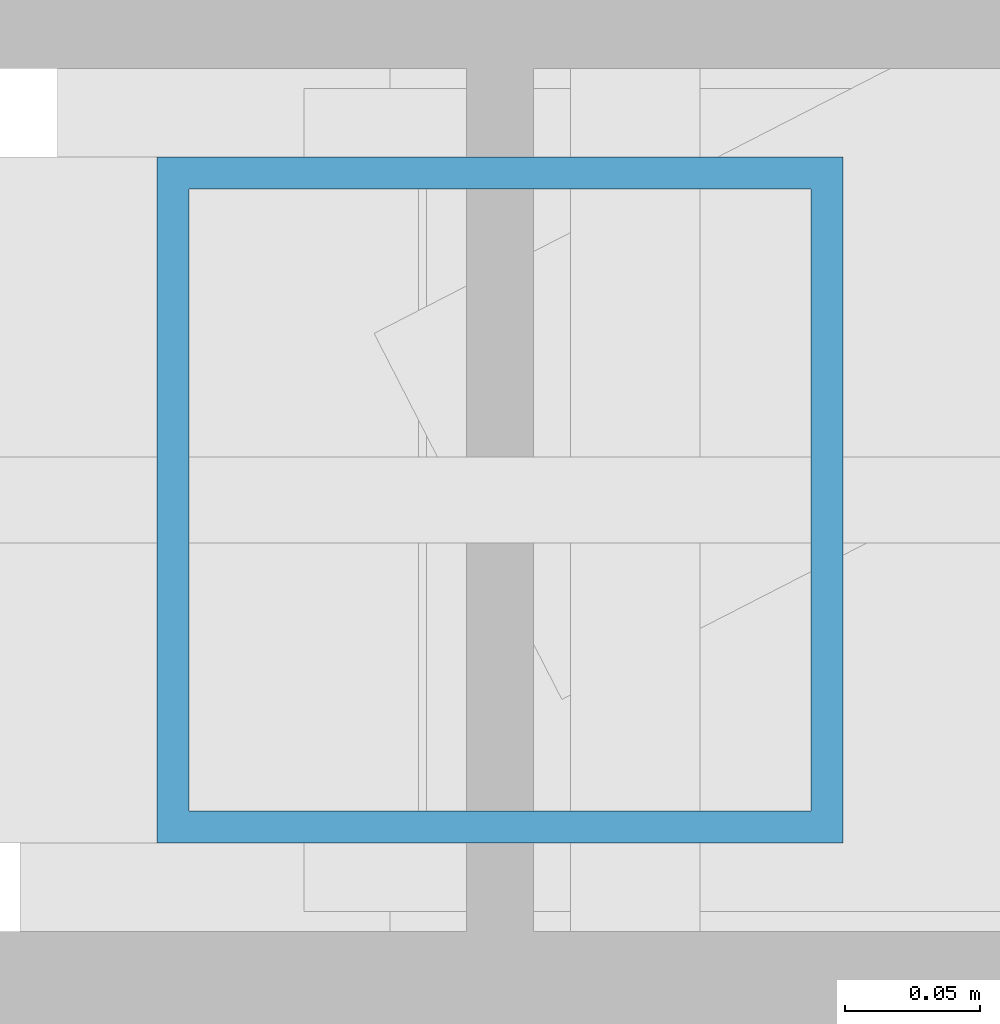
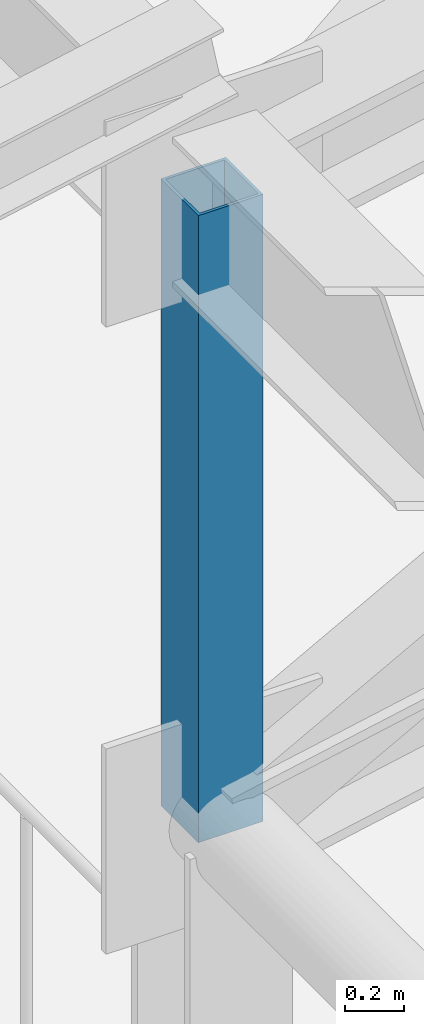
# One storey, part 17 of 73: 1 member.
"""IFC4 building model written with IfcOpenShell, lengths in metres."""

import ifcopenshell
import ifcopenshell.guid

model = None  # the IFC model being written
_history = None  # IfcOwnerHistory: only IFC2X3 demands one
_inside = {}  # id of a spatial element -> (the spatial element, [elements in it])
_under = {}  # id of a project, library or spatial element -> (it, [spatial elements below it])
_declared = {}  # id of a project -> (the project, [libraries it declares])
_typed = {}  # id of a type object -> (the type object, [elements of that type])
_made_of = {}  # id of a material, layer set ... -> (it, [elements and type objects made of it])


def new_model(schema):
    """Start an empty IFC model of exactly this schema.

    Asked for "IFC4X3", IfcOpenShell would pick the latest addendum, in which some entities
    have other attributes; the version numbers below select the first issue.
    IFC2X3 requires an IfcOwnerHistory on every rooted entity: one is made here for all.
    """
    global model, _history
    if schema == "IFC4X3":
        model = ifcopenshell.file(schema_version=(4, 3, 0, 0))
    else:
        model = ifcopenshell.file(schema=schema)
    _inside.clear()
    _under.clear()
    _declared.clear()
    _typed.clear()
    _made_of.clear()
    _history = None
    if model.schema == "IFC2X3":
        org = make("IfcOrganization", Name="unknown")
        user = make(
            "IfcPersonAndOrganization",
            ThePerson=make("IfcPerson", FamilyName="unknown"),
            TheOrganization=org,
        )
        app = make(
            "IfcApplication",
            ApplicationDeveloper=org,
            Version="unknown",
            ApplicationFullName="unknown",
            ApplicationIdentifier="unknown",
        )
        _history = make(
            "IfcOwnerHistory",
            OwningUser=user,
            OwningApplication=app,
            ChangeAction="ADDED",
            CreationDate=0,
        )
    return model


def make(cls, **values):
    """One entity of the class cls with the attributes given. An attribute that is None is left unset."""
    return model.create_entity(
        cls, **{name: value for name, value in values.items() if value is not None}
    )


def rooted(cls, **values):
    """An entity with a GlobalId (a new one), such as an element, a storey or a relation."""
    return make(cls, GlobalId=ifcopenshell.guid.new(), OwnerHistory=_history, **values)


def si_unit(unit_type, name, prefix=None):
    """IfcSIUnit, for example si_unit("LENGTHUNIT", "METRE", prefix="MILLI")."""
    return make("IfcSIUnit", UnitType=unit_type, Prefix=prefix, Name=name)


def assignment(units):
    """IfcUnitAssignment: the units of a project."""
    return None if units is None else make("IfcUnitAssignment", Units=units)


def point(xyz):
    """IfcCartesianPoint."""
    return None if xyz is None else make("IfcCartesianPoint", Coordinates=xyz)


def direction(xyz):
    """IfcDirection."""
    return None if xyz is None else make("IfcDirection", DirectionRatios=xyz)


def frame(location, z_axis=None, x_axis=None):
    """IfcAxis2Placement3D, a coordinate frame: its origin and axes. An axis left out is left unset."""
    return make(
        "IfcAxis2Placement3D",
        Location=point(location),
        Axis=direction(z_axis),
        RefDirection=direction(x_axis),
    )


def frame_2d(location, x_axis=None):
    """IfcAxis2Placement2D, a coordinate frame in the plane: its origin and x axis."""
    return make(
        "IfcAxis2Placement2D", Location=point(location), RefDirection=direction(x_axis)
    )


def origin():
    """The frame at (0, 0, 0) with its axes left unset."""
    return frame((0.0, 0.0, 0.0))


def origin_2d():
    """The frame at (0, 0) in the plane with its x axis left unset."""
    return frame_2d((0.0, 0.0))


def place(relative_to, where):
    """IfcLocalPlacement: puts the frame where relative to a parent placement (None: the world)."""
    return make(
        "IfcLocalPlacement", PlacementRelTo=relative_to, RelativePlacement=where
    )


def context(
    kind, dimensions, precision=None, world=None, true_north=None, identifier=None
):
    """IfcGeometricRepresentationContext, for example the 3D "Model" context."""
    return make(
        "IfcGeometricRepresentationContext",
        ContextIdentifier=identifier,
        ContextType=kind,
        CoordinateSpaceDimension=dimensions,
        Precision=precision,
        WorldCoordinateSystem=world,
        TrueNorth=true_north,
    )


def subcontext(parent, identifier, kind, view, scale=None):
    """IfcGeometricRepresentationSubContext, for example "Body" below "Model"."""
    return make(
        "IfcGeometricRepresentationSubContext",
        ContextIdentifier=identifier,
        ContextType=kind,
        ParentContext=parent,
        TargetScale=scale,
        TargetView=view,
    )


def project(units=None, contexts=None):
    """IfcProject with its units and contexts."""
    return rooted(
        "IfcProject",
        Name="project",
        RepresentationContexts=contexts,
        UnitsInContext=assignment(units),
    )


def spatial(cls, under=None, at=None, **own):
    """A site, building, storey or space (cls), placed at a placement, below another one or the project."""
    s = rooted(cls, ObjectPlacement=at, **own)
    if under is not None:
        _under.setdefault(under.id(), (under, []))[1].append(s)
    return s


def profile(cls, at=None, kind="AREA", **sizes):
    """A parametric profile (cls). Its sizes go by their IFC names, for example OverallWidth=200.0."""
    return make(cls, ProfileType=kind, Position=at, **sizes)


def hollow_rectangle(**sizes):
    """IfcRectangleHollowProfileDef."""
    return profile("IfcRectangleHollowProfileDef", **sizes)


def extrude(swept, where, along, depth):
    """IfcExtrudedAreaSolid: the profile swept, set in the frame where, extruded along a direction by depth."""
    return make(
        "IfcExtrudedAreaSolid",
        SweptArea=swept,
        Position=where,
        ExtrudedDirection=direction(along),
        Depth=depth,
    )


def shape(context_of_items, identifier, shape_type, items):
    """IfcShapeRepresentation: the items that make up one representation, for example the "Body"."""
    return make(
        "IfcShapeRepresentation",
        ContextOfItems=context_of_items,
        RepresentationIdentifier=identifier,
        RepresentationType=shape_type,
        Items=items,
    )


def material(Name=None, Category=None):
    """IfcMaterial."""
    return make("IfcMaterial", Name=Name, Category=Category)


def material_profile(
    of_material, cross_section, Name=None, Category=None, Priority=None
):
    """IfcMaterialProfile: a cross section and its material."""
    return make(
        "IfcMaterialProfile",
        Name=Name,
        Material=of_material,
        Profile=cross_section,
        Priority=Priority,
        Category=Category,
    )


def profile_set(profiles, Name=None, composite=None):
    """IfcMaterialProfileSet."""
    return make(
        "IfcMaterialProfileSet",
        Name=Name,
        MaterialProfiles=profiles,
        CompositeProfile=composite,
    )


def made_of(thing, what):
    """Note that an element or type object is made of a material, layer set ...; save() writes the relation."""
    if what is not None:
        _made_of.setdefault(what.id(), (what, []))[1].append(thing)
    return thing


def type_object(cls, material=None, **own):
    """A type object (cls), such as IfcWallType, which elements share."""
    return made_of(rooted(cls, **own), material)


def element(
    cls,
    number,
    at=None,
    inside=None,
    cuts=None,
    type_object=None,
    material=None,
    context=None,
    identifier="Body",
    shape_type=None,
    held_by="IfcProductDefinitionShape",
    body=None,
    shapes=None,
    **own,
):
    """One element of the class cls, such as IfcWall. Its Tag is "e" and its number.

    at: its placement. inside: the storey or other place that contains it. cuts: it is an
    opening in that element (IfcRelVoidsElement). A single representation is given by context,
    identifier, shape_type and body (its items); several are given by shapes. held_by: the class
    of the entity that holds the representations. save() writes the other relations.
    """
    e = rooted(cls, Tag="e%d" % number, ObjectPlacement=at, **own)
    if body is not None:
        shapes = [shape(context, identifier, shape_type, body)]
    if shapes is not None:
        e.Representation = make(held_by, Representations=shapes)
    if inside is not None:
        _inside.setdefault(inside.id(), (inside, []))[1].append(e)
    if cuts is not None:
        rooted(
            "IfcRelVoidsElement", RelatingBuildingElement=cuts, RelatedOpeningElement=e
        )
    if type_object is not None:
        _typed.setdefault(type_object.id(), (type_object, []))[1].append(e)
    return made_of(e, material)


def aggregate(whole, parts):
    """IfcRelAggregates: a whole, such as a stair, and the parts it consists of."""
    return rooted("IfcRelAggregates", RelatingObject=whole, RelatedObjects=parts)


def save(model, path):
    """Write the relations noted so far, then the file.

    IfcRelAggregates (storeys below a building ...), IfcRelContainedInSpatialStructure (elements
    in a storey), IfcRelDefinesByType, IfcRelAssociatesMaterial and IfcRelDeclares: one each for
    every whole, place, type object, material and project.
    """
    for whole, parts in _under.values():
        aggregate(whole, parts)
    for where, things in _inside.values():
        rooted(
            "IfcRelContainedInSpatialStructure",
            RelatedElements=things,
            RelatingStructure=where,
        )
    for kind, things in _typed.values():
        rooted("IfcRelDefinesByType", RelatedObjects=things, RelatingType=kind)
    for what, things in _made_of.values():
        rooted("IfcRelAssociatesMaterial", RelatedObjects=things, RelatingMaterial=what)
    for by, libraries in _declared.values():
        rooted("IfcRelDeclares", RelatingContext=by, RelatedDefinitions=libraries)
    model.write(path)


model = new_model("IFC4")

# Units and contexts
model_context = context("Model", 3, precision=1e-05, world=origin(), true_north=direction((0.0, 1.0)))
body_context = subcontext(model_context, "Body", "Model", "MODEL_VIEW")
ifc_project = project(units=[si_unit("LENGTHUNIT", "METRE"), si_unit("AREAUNIT", "SQUARE_METRE"), si_unit("VOLUMEUNIT", "CUBIC_METRE"), si_unit("PLANEANGLEUNIT", "RADIAN"), si_unit("MASSUNIT", "GRAM", prefix="KILO")], contexts=[model_context])

# Site, building, storey
site_placement = place(None, origin())
site = spatial("IfcSite", under=ifc_project, at=site_placement, CompositionType="ELEMENT")
building_placement = place(site_placement, origin())
building = spatial("IfcBuilding", under=site, at=building_placement, Name="Vervanel Yard Central Library", CompositionType="ELEMENT")
storey_placement = place(building_placement, frame((0.0, 0.0, 12.780029296875)))
storey = spatial("IfcBuildingStorey", under=building, at=storey_placement, Name="L03", CompositionType="ELEMENT", Elevation=12.780029296875)

# Member
ifc_material = material(Name="Steel ASTM A500 Grade C", Category="steel")
ifc_material_profile = material_profile(ifc_material, hollow_rectangle(XDim=0.25390625, YDim=0.25390625, WallThickness=0.01171875, at=origin_2d()), Name="HSS10X10X1/2", Category="steel")
ifc_profile_set = profile_set([ifc_material_profile], Name="Steel ASTM A500 Grade C")
member_type = type_object("IfcMemberType", Name="Prow Truss Web Vertical HSS10X10X1/2", PredefinedType="BRACE", material=ifc_profile_set)
member_placement = place(storey_placement, frame((123.199951171875, 62.699951171875, 1.9140625), z_axis=(0.0, 0.0, 1.0), x_axis=(1.0, 0.0, 0.0)))
element("IfcMember", 1, at=member_placement, inside=storey, type_object=member_type, Name="Prow Cantilever Truss N Vertical 1", PredefinedType="BRACE", context=body_context, shape_type="SweptSolid", body=[
    extrude(hollow_rectangle(XDim=0.25390625, YDim=0.25390625, WallThickness=0.01171875, at=origin_2d()), origin(), (0.0, 0.0, 1.0), 2.60009765625),
])

save(model, "model.ifc")
